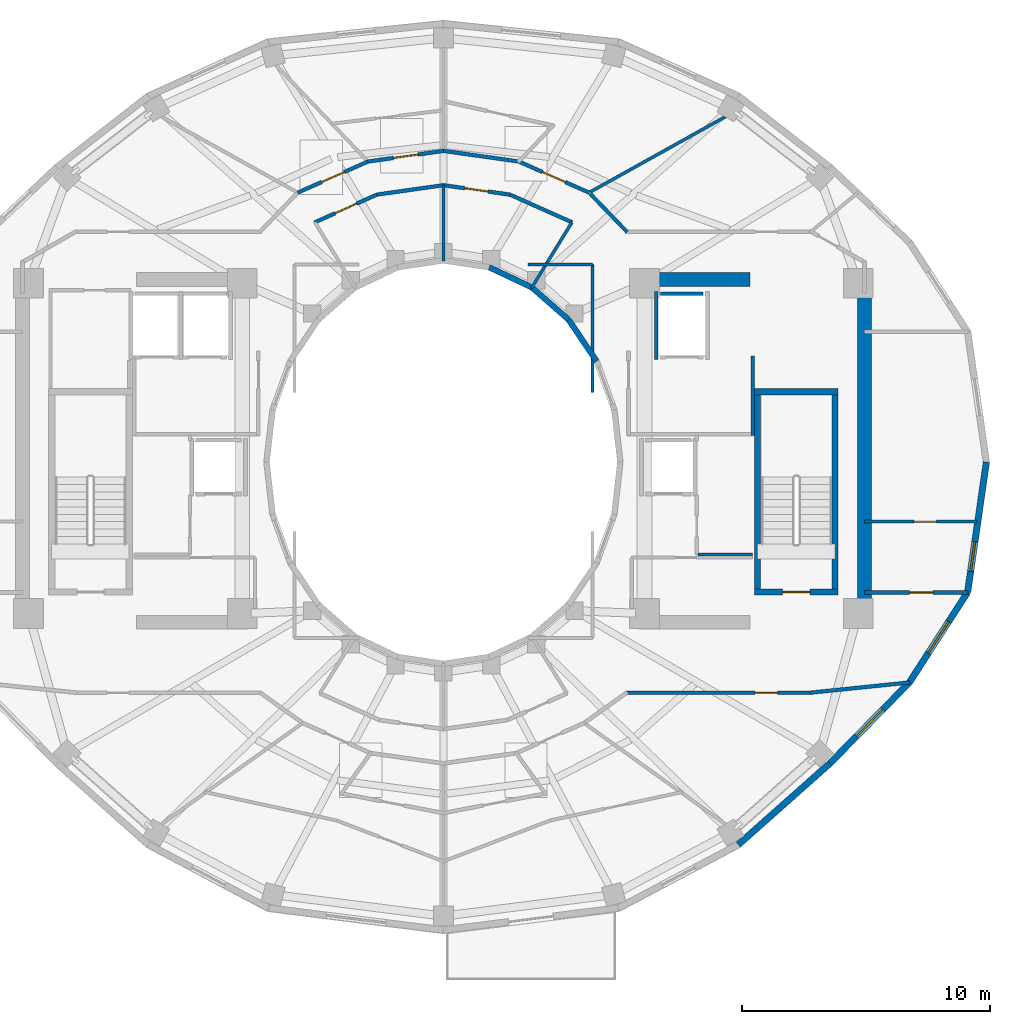
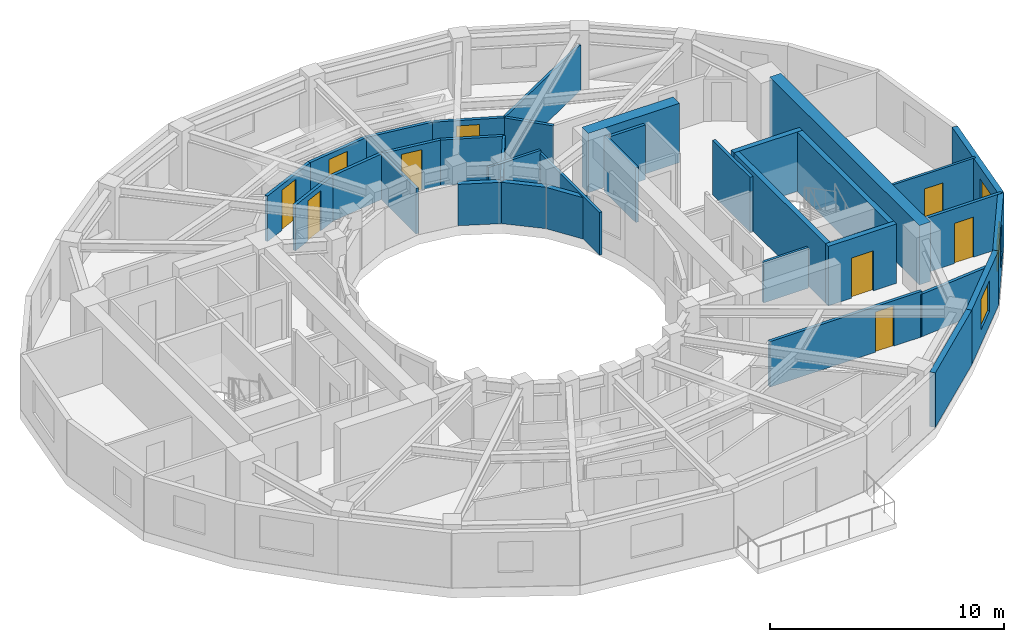
# One storey, part 6 of 9: 35 walls, 9 doors, 3 windows, 12 openings.
"""IFC4 building model written with IfcOpenShell, lengths in metres."""

from ifc_helpers import new_model, si_unit, direction, frame, frame_2d, origin, place, context, subcontext, project, spatial, rectangle, extrude, material, layer, layer_set, type_object, element, fill, save


model = new_model("IFC4")

# Units and contexts
model_context = context("Model", 3, precision=1e-05, world=origin(), true_north=direction((0.0, 1.0)))
body_context = subcontext(model_context, "Body", "Model", "MODEL_VIEW")
ifc_project = project(units=[si_unit("LENGTHUNIT", "METRE"), si_unit("AREAUNIT", "SQUARE_METRE"), si_unit("VOLUMEUNIT", "CUBIC_METRE"), si_unit("PLANEANGLEUNIT", "RADIAN"), si_unit("MASSUNIT", "GRAM", prefix="KILO")], contexts=[model_context])

# Site, building, storey
site_placement = place(None, origin())
site = spatial("IfcSite", under=ifc_project, at=site_placement, CompositionType="ELEMENT")
building_placement = place(site_placement, origin())
building = spatial("IfcBuilding", under=site, at=building_placement, Name="Solvane Sanctuary Tower", CompositionType="ELEMENT")
storey_placement = place(building_placement, frame((0.0, 0.0, 220.199951171875)))
storey = spatial("IfcBuildingStorey", under=building, at=storey_placement, Name="L67", CompositionType="ELEMENT", Elevation=220.199951171875)

# Walls
ifc_material_1 = material(Name="Concrete C50/60", Category="concrete")
ifc_layer_1 = layer(ifc_material_1, 0.550048828125, Name="Concrete C50/60")
ifc_layer_set_1 = layer_set([ifc_layer_1], Name="Concrete C50/60")
wall_type_1 = type_object("IfcWallType", Name="Wall W-CORE-550", PredefinedType="SHEAR", material=ifc_layer_set_1)
wall_1_placement = place(storey_placement, frame((48.949951171875, 17.050048828125, 0.0), z_axis=(0.0, 0.0, 1.0), x_axis=(0.0, 1.0, 0.0)))
element("IfcWall", 1, at=wall_1_placement, inside=storey, type_object=wall_type_1, Name="L67 Core Shear Wall EC-E", PredefinedType="SHEAR", context=body_context, shape_type="SweptSolid", body=[
    extrude(rectangle(XDim=12.800048828125, YDim=0.550048828125, at=frame_2d((6.39990234375, 0.0))), origin(), (0.0, 0.0, 1.0), 3.10009765625),
])
wall_2_placement = place(storey_placement, frame((39.85009765625, 30.35009765625, 0.0), z_axis=(0.0, 0.0, 1.0), x_axis=(1.0, 0.0, 0.0)))
element("IfcWall", 2, at=wall_2_placement, inside=storey, type_object=wall_type_1, Name="L67 Core Shear Wall EC-N", PredefinedType="SHEAR", context=body_context, shape_type="SweptSolid", body=[
    extrude(rectangle(XDim=4.5, YDim=0.550048828125, at=frame_2d((2.25, 0.0))), origin(), (0.0, 0.0, 1.0), 3.10009765625),
])
ifc_material_2 = material(Name="Acoustic Gypsum Partition Board")
ifc_layer_2 = layer(ifc_material_2, 0.14990234375, Name="Acoustic Gypsum Partition Board")
ifc_layer_set_2 = layer_set([ifc_layer_2], Name="Acoustic Gypsum Partition Board")
wall_type_2 = type_object("IfcWallType", Name="Wall W-CORR-150", PredefinedType="PARTITIONING", material=ifc_layer_set_2)
wall_3_placement = place(storey_placement, frame((44.449951171875, 24.080078125, 0.0), z_axis=(0.0, 0.0, 1.0), x_axis=(0.0, 1.0, 0.0)))
element("IfcWall", 3, at=wall_3_placement, inside=storey, type_object=wall_type_2, Name="L67 East Firefighting Lobby East Wall", PredefinedType="PARTITIONING", context=body_context, shape_type="SweptSolid", body=[
    extrude(rectangle(XDim=3.199951171875, YDim=0.14990234375, at=frame_2d((1.60009765625, 0.0))), origin(), (0.0, 0.0, 1.0), 2.85498046875),
])
wall_4_placement = place(storey_placement, frame((37.181396484375, 32.65234375, 0.0), z_axis=(0.0, 0.0, 1.0), x_axis=(-0.913120130558, 0.407690602257, 0.0)))
element("IfcWall", 4, at=wall_4_placement, inside=storey, type_object=wall_type_2, Name="L67 Light-Well Alcove Corridor Wall 1", PredefinedType="PARTITIONING", context=body_context, shape_type="SweptSolid", body=[
    extrude(rectangle(XDim=2.74267578125, YDim=0.14990234375, at=frame_2d((1.371337890625, 0.0))), origin(), (0.0, 0.0, 1.0), 2.3759765625),
])

# Wall, opening, door
wall_5_placement = place(storey_placement, frame((34.680419921875, 33.76953125, 0.0), z_axis=(0.0, 0.0, 1.0), x_axis=(-0.990132151456, 0.140136799779, 0.0)))
wall_5 = element("IfcWall", 5, at=wall_5_placement, inside=storey, type_object=wall_type_2, Name="L67 Light-Well Alcove Corridor Wall 1", PredefinedType="PARTITIONING", context=body_context, shape_type="SweptSolid", body=[
    extrude(rectangle(XDim=2.71435546875, YDim=0.14990234375, at=frame_2d((1.357177734375, 0.0))), origin(), (0.0, 0.0, 1.0), 2.3759765625),
])
opening_1_placement = place(wall_5_placement, frame((0.882080078125, 0.0, 0.0)))
opening_1 = element("IfcOpeningElement", 6, at=opening_1_placement, cuts=wall_5, Name="Opening D-L67-11", PredefinedType="OPENING", context=body_context, shape_type="SweptSolid", body=[
    extrude(rectangle(XDim=0.949951171875, YDim=2.10009765625, at=frame_2d((0.47509765625, 1.050048828125))), frame((0.0, 0.0849609375, 0.0), z_axis=(0.0, -1.0, 0.0), x_axis=(1.0, 0.0, 0.0)), (0.0, 0.0, 1.0), 0.169921875),
])
ifc_material_3 = material(Name="Engineered Tropical Hardwood", Category="wood")
door_type_1 = type_object("IfcDoorType", Name="Door D-ROOM-950", OperationType="NOTDEFINED", PredefinedType="DOOR", material=ifc_material_3)
door_1_placement = place(opening_1_placement, origin())
door_1 = element("IfcDoor", 7, at=door_1_placement, inside=storey, type_object=door_type_1, Name="L67 Light-Well Alcove Door 1", OperationType="SINGLE_SWING_RIGHT", OverallHeight=2.10009765625, OverallWidth=0.949951171875, PredefinedType="DOOR", context=body_context, shape_type="SweptSolid", body=[
    extrude(rectangle(XDim=0.949951171875, YDim=2.10009765625, at=frame_2d((0.47509765625, 1.050048828125))), frame((0.0, 0.02490234375, 0.0), z_axis=(0.0, -1.0, 0.0), x_axis=(1.0, 0.0, 0.0)), (0.0, 0.0, 1.0), 0.050048828125),
])
fill(opening_1, door_1)

# Wall
wall_6_placement = place(storey_placement, frame((32.007080078125, 34.14990234375, 0.0), z_axis=(0.0, 0.0, 1.0), x_axis=(-0.990132151456, -0.140136799779, 0.0)))
element("IfcWall", 8, at=wall_6_placement, inside=storey, type_object=wall_type_2, Name="L67 Light-Well Alcove Corridor Wall 2", PredefinedType="PARTITIONING", context=body_context, shape_type="SweptSolid", body=[
    extrude(rectangle(XDim=2.71435546875, YDim=0.14990234375, at=frame_2d((1.357177734375, 0.0))), origin(), (0.0, 0.0, 1.0), 2.3759765625),
])

# Wall, opening, door
wall_7_placement = place(storey_placement, frame((29.322998046875, 33.7705078125, 0.0), z_axis=(0.0, 0.0, 1.0), x_axis=(-0.913120130558, -0.407690602257, 0.0)))
wall_7 = element("IfcWall", 9, at=wall_7_placement, inside=storey, type_object=wall_type_2, Name="L67 Light-Well Alcove Corridor Wall 2", PredefinedType="PARTITIONING", context=body_context, shape_type="SweptSolid", body=[
    extrude(rectangle(XDim=2.74267578125, YDim=0.14990234375, at=frame_2d((1.371337890625, 0.0))), origin(), (0.0, 0.0, 1.0), 2.3759765625),
])
opening_2_placement = place(wall_7_placement, frame((0.896240234375, 0.0, 0.0)))
opening_2 = element("IfcOpeningElement", 10, at=opening_2_placement, cuts=wall_7, Name="Opening D-L67-12", PredefinedType="OPENING", context=body_context, shape_type="SweptSolid", body=[
    extrude(rectangle(XDim=0.949951171875, YDim=2.10009765625, at=frame_2d((0.47509765625, 1.050048828125))), frame((0.0, 0.0849609375, 0.0), z_axis=(0.0, -1.0, 0.0), x_axis=(1.0, 0.0, 0.0)), (0.0, 0.0, 1.0), 0.169921875),
])
door_2_placement = place(opening_2_placement, origin())
door_2 = element("IfcDoor", 11, at=door_2_placement, inside=storey, type_object=door_type_1, Name="L67 Light-Well Alcove Door 2", OperationType="SINGLE_SWING_LEFT", OverallHeight=2.10009765625, OverallWidth=0.949951171875, PredefinedType="DOOR", context=body_context, shape_type="SweptSolid", body=[
    extrude(rectangle(XDim=0.949951171875, YDim=2.10009765625, at=frame_2d((0.47509765625, 1.050048828125))), frame((0.0, 0.02490234375, 0.0), z_axis=(0.0, -1.0, 0.0), x_axis=(1.0, 0.0, 0.0)), (0.0, 0.0, 1.0), 0.050048828125),
])
fill(opening_2, door_2)

wall_8_placement = place(storey_placement, frame((48.949951171875, 17.754638671875, 0.0), z_axis=(0.0, 0.0, 1.0), x_axis=(1.0, 0.0, 0.0)))
wall_8 = element("IfcWall", 12, at=wall_8_placement, inside=storey, type_object=wall_type_2, Name="L67 East Shoulder South Wall", PredefinedType="PARTITIONING", context=body_context, shape_type="SweptSolid", body=[
    extrude(rectangle(XDim=4.174560546875, YDim=0.14990234375, at=frame_2d((2.08740234375, 0.0))), origin(), (0.0, 0.0, 1.0), 2.85498046875),
])
opening_3_placement = place(wall_8_placement, frame((1.817138671875, 0.0, 0.0)))
opening_3 = element("IfcOpeningElement", 13, at=opening_3_placement, cuts=wall_8, Name="Opening D-L67-15", PredefinedType="OPENING", context=body_context, shape_type="SweptSolid", body=[
    extrude(rectangle(XDim=0.949951171875, YDim=2.10009765625, at=frame_2d((0.47509765625, 1.050048828125))), frame((0.0, 0.0849609375, 0.0), z_axis=(0.0, -1.0, 0.0), x_axis=(1.0, 0.0, 0.0)), (0.0, 0.0, 1.0), 0.169921875),
])
door_3_placement = place(opening_3_placement, origin())
door_3 = element("IfcDoor", 14, at=door_3_placement, inside=storey, type_object=door_type_1, Name="L67 East Shoulder South Door", OperationType="SINGLE_SWING_RIGHT", OverallHeight=2.10009765625, OverallWidth=0.949951171875, PredefinedType="DOOR", context=body_context, shape_type="SweptSolid", body=[
    extrude(rectangle(XDim=0.949951171875, YDim=2.10009765625, at=frame_2d((0.47509765625, 1.050048828125))), frame((0.0, 0.02490234375, 0.0), z_axis=(0.0, -1.0, 0.0), x_axis=(1.0, 0.0, 0.0)), (0.0, 0.0, 1.0), 0.050048828125),
])
fill(opening_3, door_3)

# Wall
wall_9_placement = place(storey_placement, frame((37.9033203125, 33.811767578125, 0.0), z_axis=(0.0, 0.0, 1.0), x_axis=(0.694032962553, -0.719943224768, 0.0)))
element("IfcWall", 15, at=wall_9_placement, inside=storey, type_object=wall_type_2, Name="L67 NE Corner Throat Wall", PredefinedType="PARTITIONING", context=body_context, shape_type="SweptSolid", body=[
    extrude(rectangle(XDim=2.15771484375, YDim=0.14990234375, at=frame_2d((1.078857421875, 0.0))), origin(), (0.0, 0.0, 1.0), 2.3759765625),
])

# Wall, opening, door
wall_10_placement = place(storey_placement, frame((39.330078125, 13.719970703125, 0.0), z_axis=(0.0, 0.0, 1.0), x_axis=(1.0, 0.0, 0.0)))
wall_10 = element("IfcWall", 16, at=wall_10_placement, inside=storey, type_object=wall_type_2, Name="L67 SE Corner Corridor Wall", PredefinedType="PARTITIONING", context=body_context, shape_type="SweptSolid", body=[
    extrude(rectangle(XDim=7.52001953125, YDim=0.14990234375, at=frame_2d((3.760009765625, 0.0))), origin(), (0.0, 0.0, 1.0), 2.3759765625),
])
opening_4_placement = place(wall_10_placement, frame((5.219970703125, 0.0, 0.0)))
opening_4 = element("IfcOpeningElement", 17, at=opening_4_placement, cuts=wall_10, Name="Opening D-L67-23", PredefinedType="OPENING", context=body_context, shape_type="SweptSolid", body=[
    extrude(rectangle(XDim=0.89990234375, YDim=2.10009765625, at=frame_2d((0.449951171875, 1.050048828125))), frame((0.0, 0.0849609375, 0.0), z_axis=(0.0, -1.0, 0.0), x_axis=(1.0, 0.0, 0.0)), (0.0, 0.0, 1.0), 0.169921875),
])
door_type_2 = type_object("IfcDoorType", Name="Door D-WET-900", OperationType="NOTDEFINED", PredefinedType="DOOR", material=ifc_material_3)
door_4_placement = place(opening_4_placement, origin())
door_4 = element("IfcDoor", 18, at=door_4_placement, inside=storey, type_object=door_type_2, Name="L67 SE Corner Salon Door", OperationType="SINGLE_SWING_RIGHT", OverallHeight=2.10009765625, OverallWidth=0.89990234375, PredefinedType="DOOR", context=body_context, shape_type="SweptSolid", body=[
    extrude(rectangle(XDim=0.89990234375, YDim=2.10009765625, at=frame_2d((0.449951171875, 1.050048828125))), frame((0.0, 0.02490234375, 0.0), z_axis=(0.0, -1.0, 0.0), x_axis=(1.0, 0.0, 0.0)), (0.0, 0.0, 1.0), 0.050048828125),
])
fill(opening_4, door_4)

# Walls
wall_11_placement = place(storey_placement, frame((46.750244140625, 13.71484375, 0.0), z_axis=(0.0, 0.0, 1.0), x_axis=(0.994734711466, 0.102483431859, 0.0)))
element("IfcWall", 19, at=wall_11_placement, inside=storey, type_object=wall_type_2, Name="L67 SE Corner Wing Wall", PredefinedType="PARTITIONING", context=body_context, shape_type="SweptSolid", body=[
    extrude(rectangle(XDim=4.04736328125, YDim=0.14990234375, at=frame_2d((2.023681640625, 0.0))), origin(), (0.0, 0.0, 1.0), 2.219970703125),
])
wall_12_placement = place(storey_placement, frame((35.08544921875, 35.09619140625, 0.0), z_axis=(0.0, 0.0, 1.0), x_axis=(-0.990254086283, 0.139272555084, 0.0)))
element("IfcWall", 20, at=wall_12_placement, inside=storey, type_object=wall_type_2, Name="L67 En-suite Inner Wall N1", PredefinedType="PARTITIONING", context=body_context, shape_type="SweptSolid", body=[
    extrude(rectangle(XDim=3.165771484375, YDim=0.14990234375, at=frame_2d((1.5830078125, 0.0))), origin(), (0.0, 0.0, 1.0), 2.3759765625),
])

# Wall, opening, door
wall_13_placement = place(storey_placement, frame((37.8720703125, 33.846923828125, 0.0), z_axis=(0.0, 0.0, 1.0), x_axis=(-0.914490094652, 0.40460828808, 0.0)))
wall_13 = element("IfcWall", 21, at=wall_13_placement, inside=storey, type_object=wall_type_2, Name="L67 Unit Corridor Wall N1", PredefinedType="PARTITIONING", context=body_context, shape_type="SweptSolid", body=[
    extrude(rectangle(XDim=3.10986328125, YDim=0.14990234375, at=frame_2d((1.554931640625, 0.0))), origin(), (0.0, 0.0, 1.0), 2.3759765625),
])
opening_5_placement = place(wall_13_placement, frame((1.054931640625, 0.0, 0.0)))
opening_5 = element("IfcOpeningElement", 22, at=opening_5_placement, cuts=wall_13, Name="Opening D-L67-25", PredefinedType="OPENING", context=body_context, shape_type="SweptSolid", body=[
    extrude(rectangle(XDim=1.0, YDim=2.10009765625, at=frame_2d((0.5, 1.050048828125))), frame((0.0, 0.0849609375, 0.0), z_axis=(0.0, -1.0, 0.0), x_axis=(1.0, 0.0, 0.0)), (0.0, 0.0, 1.0), 0.169921875),
])
door_type_3 = type_object("IfcDoorType", Name="Door D-UNIT", OperationType="NOTDEFINED", PredefinedType="DOOR", material=ifc_material_3)
door_5_placement = place(opening_5_placement, origin())
door_5 = element("IfcDoor", 23, at=door_5_placement, inside=storey, type_object=door_type_3, Name="L67 Unit Entrance Door N1", OperationType="SINGLE_SWING_RIGHT", OverallHeight=2.10009765625, OverallWidth=1.0, PredefinedType="DOOR", context=body_context, shape_type="SweptSolid", body=[
    extrude(rectangle(XDim=1.0, YDim=2.10009765625, at=frame_2d((0.5, 1.050048828125))), frame((0.0, 0.02490234375, 0.0), z_axis=(0.0, -1.0, 0.0), x_axis=(1.0, 0.0, 0.0)), (0.0, 0.0, 1.0), 0.050048828125),
])
fill(opening_5, door_5)

wall_14_placement = place(storey_placement, frame((32.00830078125, 35.530029296875, 0.0), z_axis=(0.0, 0.0, 1.0), x_axis=(-0.990257602807, -0.139247549651, 0.0)))
wall_14 = element("IfcWall", 24, at=wall_14_placement, inside=storey, type_object=wall_type_2, Name="L67 Unit Corridor Wall N2", PredefinedType="PARTITIONING", context=body_context, shape_type="SweptSolid", body=[
    extrude(rectangle(XDim=3.082275390625, YDim=0.14990234375, at=frame_2d((1.541015625, 0.0))), origin(), (0.0, 0.0, 1.0), 2.3759765625),
])
opening_6_placement = place(wall_14_placement, frame((1.041015625, 0.0, 0.0)))
opening_6 = element("IfcOpeningElement", 25, at=opening_6_placement, cuts=wall_14, Name="Opening D-L67-27", PredefinedType="OPENING", context=body_context, shape_type="SweptSolid", body=[
    extrude(rectangle(XDim=1.0, YDim=2.10009765625, at=frame_2d((0.5, 1.050048828125))), frame((0.0, 0.0849609375, 0.0), z_axis=(0.0, -1.0, 0.0), x_axis=(1.0, 0.0, 0.0)), (0.0, 0.0, 1.0), 0.169921875),
])
door_6_placement = place(opening_6_placement, origin())
door_6 = element("IfcDoor", 26, at=door_6_placement, inside=storey, type_object=door_type_3, Name="L67 Unit Entrance Door N2", OperationType="SINGLE_SWING_RIGHT", OverallHeight=2.10009765625, OverallWidth=1.0, PredefinedType="DOOR", context=body_context, shape_type="SweptSolid", body=[
    extrude(rectangle(XDim=1.0, YDim=2.10009765625, at=frame_2d((0.5, 1.050048828125))), frame((0.0, 0.02490234375, 0.0), z_axis=(0.0, -1.0, 0.0), x_axis=(1.0, 0.0, 0.0)), (0.0, 0.0, 1.0), 0.050048828125),
])
fill(opening_6, door_6)

wall_15_placement = place(storey_placement, frame((28.971923828125, 35.105224609375, 0.0), z_axis=(0.0, 0.0, 1.0), x_axis=(-0.914490094652, -0.40460828808, 0.0)))
wall_15 = element("IfcWall", 27, at=wall_15_placement, inside=storey, type_object=wall_type_2, Name="L67 Unit Corridor Wall N3", PredefinedType="PARTITIONING", context=body_context, shape_type="SweptSolid", body=[
    extrude(rectangle(XDim=3.10986328125, YDim=0.14990234375, at=frame_2d((1.554931640625, 0.0))), origin(), (0.0, 0.0, 1.0), 2.3759765625),
])
opening_7_placement = place(wall_15_placement, frame((1.054931640625, 0.0, 0.0)))
opening_7 = element("IfcOpeningElement", 28, at=opening_7_placement, cuts=wall_15, Name="Opening D-L67-28", PredefinedType="OPENING", context=body_context, shape_type="SweptSolid", body=[
    extrude(rectangle(XDim=1.0, YDim=2.10009765625, at=frame_2d((0.5, 1.050048828125))), frame((0.0, 0.0849609375, 0.0), z_axis=(0.0, -1.0, 0.0), x_axis=(1.0, 0.0, 0.0)), (0.0, 0.0, 1.0), 0.169921875),
])
door_7_placement = place(opening_7_placement, origin())
door_7 = element("IfcDoor", 29, at=door_7_placement, inside=storey, type_object=door_type_3, Name="L67 Unit Entrance Door N3", OperationType="SINGLE_SWING_LEFT", OverallHeight=2.10009765625, OverallWidth=1.0, PredefinedType="DOOR", context=body_context, shape_type="SweptSolid", body=[
    extrude(rectangle(XDim=1.0, YDim=2.10009765625, at=frame_2d((0.5, 1.050048828125))), frame((0.0, 0.02490234375, 0.0), z_axis=(0.0, -1.0, 0.0), x_axis=(1.0, 0.0, 0.0)), (0.0, 0.0, 1.0), 0.050048828125),
])
fill(opening_7, door_7)

# Wall
ifc_material_4 = material(Name="Precast concrete C40/50", Category="concrete")
ifc_layer_3 = layer(ifc_material_4, 0.260009765625, Name="Precast concrete C40/50")
ifc_layer_set_3 = layer_set([ifc_layer_3], Name="Precast concrete C40/50")
wall_type_3 = type_object("IfcWallType", Name="Wall W-EXT-250", PredefinedType="STANDARD", material=ifc_layer_set_3)
wall_16_placement = place(storey_placement, frame((43.8701171875, 7.600830078125, 0.0), z_axis=(0.0, 0.0, 1.0), x_axis=(0.748165854006, 0.663511759428, 0.0)))
element("IfcWall", 30, at=wall_16_placement, inside=storey, type_object=wall_type_3, Name="L67 Ceramic-Printed Facade Wall 20", PredefinedType="STANDARD", context=body_context, shape_type="SweptSolid", body=[
    extrude(rectangle(XDim=4.9287109375, YDim=0.260009765625, at=frame_2d((2.46435546875, 0.0))), origin(), (0.0, 0.0, 1.0), 2.85009765625),
])

# Wall, opening, window
wall_17_placement = place(storey_placement, frame((47.5576171875, 10.87109375, 0.0), z_axis=(0.0, 0.0, 1.0), x_axis=(0.700642973333, 0.713512034881, 0.0)))
wall_17 = element("IfcWall", 31, at=wall_17_placement, inside=storey, type_object=wall_type_3, Name="L67 Ceramic-Printed Facade Wall 21", PredefinedType="STANDARD", context=body_context, shape_type="SweptSolid", body=[
    extrude(rectangle(XDim=4.572021484375, YDim=0.260009765625, at=frame_2d((2.2861328125, 0.0))), origin(), (0.0, 0.0, 1.0), 2.85009765625),
])
opening_8_placement = place(wall_17_placement, frame((1.535888671875, 0.0, 0.75)))
opening_8 = element("IfcOpeningElement", 32, at=opening_8_placement, cuts=wall_17, Name="Opening WN-OPER-1500", PredefinedType="OPENING", context=body_context, shape_type="SweptSolid", body=[
    extrude(rectangle(XDim=1.5, YDim=1.60009765625, at=frame_2d((0.75, 0.800048828125))), frame((0.0, 0.139892578125, 0.0), z_axis=(0.0, -1.0, 0.0), x_axis=(1.0, 0.0, 0.0)), (0.0, 0.0, 1.0), 0.280029296875),
])
ifc_material_5 = material(Name="Dark Ceramic-Fritted Low-E Glass", Category="glass")
window_type_1 = type_object("IfcWindowType", Name="Window WN-OPER-1500", PartitioningType="SINGLE_PANEL", PredefinedType="WINDOW", material=ifc_material_5)
window_1_placement = place(opening_8_placement, origin())
window_1 = element("IfcWindow", 33, at=window_1_placement, inside=storey, type_object=window_type_1, Name="L67 Operable Facade Window 21", OverallHeight=1.60009765625, OverallWidth=1.5, PartitioningType="SINGLE_PANEL", PredefinedType="WINDOW", context=body_context, shape_type="SweptSolid", body=[
    extrude(rectangle(XDim=1.5, YDim=1.60009765625, at=frame_2d((0.75, 0.800048828125))), frame((0.0, 0.030029296875, 0.0), z_axis=(0.0, -1.0, 0.0), x_axis=(1.0, 0.0, 0.0)), (0.0, 0.0, 1.0), 0.06005859375),
])
fill(opening_8, window_1)

wall_18_placement = place(storey_placement, frame((50.760986328125, 14.13330078125, 0.0), z_axis=(0.0, 0.0, 1.0), x_axis=(0.542641766008, 0.839964233634, 0.0)))
wall_18 = element("IfcWall", 34, at=wall_18_placement, inside=storey, type_object=wall_type_3, Name="L67 Ceramic-Printed Facade Wall 22", PredefinedType="STANDARD", context=body_context, shape_type="SweptSolid", body=[
    extrude(rectangle(XDim=4.319091796875, YDim=0.260009765625, at=frame_2d((2.15966796875, 0.0))), origin(), (0.0, 0.0, 1.0), 2.85009765625),
])
opening_9_placement = place(wall_18_placement, frame((1.40966796875, 0.0, 0.75)))
opening_9 = element("IfcOpeningElement", 35, at=opening_9_placement, cuts=wall_18, Name="Opening WN-OPER-1500", PredefinedType="OPENING", context=body_context, shape_type="SweptSolid", body=[
    extrude(rectangle(XDim=1.5, YDim=1.60009765625, at=frame_2d((0.75, 0.800048828125))), frame((0.0, 0.139892578125, 0.0), z_axis=(0.0, -1.0, 0.0), x_axis=(1.0, 0.0, 0.0)), (0.0, 0.0, 1.0), 0.280029296875),
])
window_2_placement = place(opening_9_placement, origin())
window_2 = element("IfcWindow", 36, at=window_2_placement, inside=storey, type_object=window_type_1, Name="L67 Operable Facade Window 22", OverallHeight=1.60009765625, OverallWidth=1.5, PartitioningType="SINGLE_PANEL", PredefinedType="WINDOW", context=body_context, shape_type="SweptSolid", body=[
    extrude(rectangle(XDim=1.5, YDim=1.60009765625, at=frame_2d((0.75, 0.800048828125))), frame((0.0, 0.030029296875, 0.0), z_axis=(0.0, -1.0, 0.0), x_axis=(1.0, 0.0, 0.0)), (0.0, 0.0, 1.0), 0.06005859375),
])
fill(opening_9, window_2)

wall_19_placement = place(storey_placement, frame((53.104736328125, 17.76123046875, 0.0), z_axis=(0.0, 0.0, 1.0), x_axis=(0.142712754019, 0.989764148593, 0.0)))
wall_19 = element("IfcWall", 37, at=wall_19_placement, inside=storey, type_object=wall_type_3, Name="L67 Ceramic-Printed Facade Wall 23", PredefinedType="STANDARD", context=body_context, shape_type="SweptSolid", body=[
    extrude(rectangle(XDim=5.29296875, YDim=0.260009765625, at=frame_2d((2.646484375, 0.0))), origin(), (0.0, 0.0, 1.0), 2.85009765625),
])
opening_10_placement = place(wall_19_placement, frame((0.859130859375, 0.0, 0.75)))
opening_10 = element("IfcOpeningElement", 38, at=opening_10_placement, cuts=wall_19, Name="Opening WN-OPER-1200", PredefinedType="OPENING", context=body_context, shape_type="SweptSolid", body=[
    extrude(rectangle(XDim=1.199951171875, YDim=1.5, at=frame_2d((0.60009765625, 0.75))), frame((0.0, 0.139892578125, 0.0), z_axis=(0.0, -1.0, 0.0), x_axis=(1.0, 0.0, 0.0)), (0.0, 0.0, 1.0), 0.280029296875),
])
window_type_2 = type_object("IfcWindowType", Name="Window WN-OPER-1200", PartitioningType="SINGLE_PANEL", PredefinedType="WINDOW", material=ifc_material_5)
window_3_placement = place(opening_10_placement, origin())
window_3 = element("IfcWindow", 39, at=window_3_placement, inside=storey, type_object=window_type_2, Name="L67 Operable Facade Window 23", OverallHeight=1.5, OverallWidth=1.199951171875, PartitioningType="SINGLE_PANEL", PredefinedType="WINDOW", context=body_context, shape_type="SweptSolid", body=[
    extrude(rectangle(XDim=1.199951171875, YDim=1.5, at=frame_2d((0.60009765625, 0.75))), frame((0.0, 0.030029296875, 0.0), z_axis=(0.0, -1.0, 0.0), x_axis=(1.0, 0.0, 0.0)), (0.0, 0.0, 1.0), 0.06005859375),
])
fill(opening_10, window_3)

# Walls
ifc_layer_4 = layer(ifc_material_4, 0.22998046875, Name="Precast concrete C40/50")
ifc_layer_set_4 = layer_set([ifc_layer_4], Name="Precast concrete C40/50")
wall_type_4 = type_object("IfcWallType", Name="Wall W-EXT-SP220", PredefinedType="STANDARD", material=ifc_layer_set_4)
wall_20_placement = place(storey_placement, frame((38.166015625, 27.06005859375, 0.0), z_axis=(0.0, 0.0, 1.0), x_axis=(-0.558197800898, 0.829707909492, 0.0)))
element("IfcWall", 40, at=wall_20_placement, inside=storey, type_object=wall_type_4, Name="L67 Central Light-Well Wall 02", PredefinedType="STANDARD", context=body_context, shape_type="SweptSolid", body=[
    extrude(rectangle(XDim=2.02685546875, YDim=0.22998046875, at=frame_2d((1.013427734375, 0.0))), origin(), (0.0, 0.0, 1.0), 2.16015625),
])
wall_21_placement = place(storey_placement, frame((37.03466796875, 28.74169921875, 0.0), z_axis=(0.0, 0.0, 1.0), x_axis=(-0.752576694707, 0.658504607869, 0.0)))
element("IfcWall", 41, at=wall_21_placement, inside=storey, type_object=wall_type_4, Name="L67 Central Light-Well Wall 03", PredefinedType="STANDARD", context=body_context, shape_type="SweptSolid", body=[
    extrude(rectangle(XDim=1.95947265625, YDim=0.22998046875, at=frame_2d((0.979736328125, 0.0))), origin(), (0.0, 0.0, 1.0), 2.16015625),
])
wall_22_placement = place(storey_placement, frame((35.56005859375, 30.031982421875, 0.0), z_axis=(0.0, 0.0, 1.0), x_axis=(-0.904179699603, 0.427152280606, 0.0)))
element("IfcWall", 42, at=wall_22_placement, inside=storey, type_object=wall_type_4, Name="L67 Central Light-Well Wall 04", PredefinedType="STANDARD", context=body_context, shape_type="SweptSolid", body=[
    extrude(rectangle(XDim=1.899169921875, YDim=0.22998046875, at=frame_2d((0.94970703125, 0.0))), origin(), (0.0, 0.0, 1.0), 2.16015625),
])

# Wall, opening, door
ifc_layer_5 = layer(ifc_material_2, 0.1201171875, Name="Acoustic Gypsum Partition Board")
ifc_layer_set_5 = layer_set([ifc_layer_5], Name="Acoustic Gypsum Partition Board")
wall_type_5 = type_object("IfcWallType", Name="Wall W-MOV-100", PredefinedType="MOVABLE", material=ifc_layer_set_5)
wall_23_placement = place(storey_placement, frame((48.949951171875, 20.60009765625, 0.0), z_axis=(0.0, 0.0, 1.0), x_axis=(1.0, 0.0, 0.0)))
wall_23 = element("IfcWall", 43, at=wall_23_placement, inside=storey, type_object=wall_type_5, Name="L67 East Suite Partition", PredefinedType="MOVABLE", context=body_context, shape_type="SweptSolid", body=[
    extrude(rectangle(XDim=4.5244140625, YDim=0.1201171875, at=frame_2d((2.26220703125, 0.0))), origin(), (0.0, 0.0, 1.0), 2.85498046875),
])
opening_11_placement = place(wall_23_placement, frame((2.0, 0.0, 0.0)))
opening_11 = element("IfcOpeningElement", 44, at=opening_11_placement, cuts=wall_23, Name="Opening D-L67-16", PredefinedType="OPENING", context=body_context, shape_type="SweptSolid", body=[
    extrude(rectangle(XDim=0.89990234375, YDim=2.10009765625, at=frame_2d((0.449951171875, 1.050048828125))), frame((0.0, 0.070068359375, 0.0), z_axis=(0.0, -1.0, 0.0), x_axis=(1.0, 0.0, 0.0)), (0.0, 0.0, 1.0), 0.14013671875),
])
door_8_placement = place(opening_11_placement, origin())
door_8 = element("IfcDoor", 45, at=door_8_placement, inside=storey, type_object=door_type_2, Name="L67 East Suite Internal Door", OperationType="SINGLE_SWING_LEFT", OverallHeight=2.10009765625, OverallWidth=0.89990234375, PredefinedType="DOOR", context=body_context, shape_type="SweptSolid", body=[
    extrude(rectangle(XDim=0.89990234375, YDim=2.10009765625, at=frame_2d((0.449951171875, 1.050048828125))), frame((0.0, 0.02490234375, 0.0), z_axis=(0.0, -1.0, 0.0), x_axis=(1.0, 0.0, 0.0)), (0.0, 0.0, 1.0), 0.050048828125),
])
fill(opening_11, door_8)

# Walls
ifc_layer_6 = layer(ifc_material_2, 0.125, Name="Acoustic Gypsum Partition Board")
ifc_layer_set_6 = layer_set([ifc_layer_6], Name="Acoustic Gypsum Partition Board")
wall_type_6 = type_object("IfcWallType", Name="Wall W-PART-125", PredefinedType="PARTITIONING", material=ifc_layer_set_6)
wall_24_placement = place(storey_placement, frame((42.239990234375, 19.280029296875, 0.0), z_axis=(0.0, 0.0, 1.0), x_axis=(1.0, 0.0, 0.0)))
element("IfcWall", 46, at=wall_24_placement, inside=storey, type_object=wall_type_6, Name="L67 Reclaimed Room Closer Wall PME-1", PredefinedType="PARTITIONING", context=body_context, shape_type="SweptSolid", body=[
    extrude(rectangle(XDim=2.2099609375, YDim=0.125, at=frame_2d((1.10498046875, 0.0))), origin(), (0.0, 0.0, 1.0), 2.1201171875),
])
wall_25_placement = place(storey_placement, frame((35.550048828125, 30.014892578125, 0.0), z_axis=(0.0, 0.0, 1.0), x_axis=(0.523992004803, 0.851723182086, 0.0)))
element("IfcWall", 47, at=wall_25_placement, inside=storey, type_object=wall_type_6, Name="L67 Light-Well Alcove Radial Wall 60", PredefinedType="PARTITIONING", context=body_context, shape_type="SweptSolid", body=[
    extrude(rectangle(XDim=3.10107421875, YDim=0.125, at=frame_2d((1.550537109375, 0.0))), origin(), (0.0, 0.0, 1.0), 2.3759765625),
])
wall_26_placement = place(storey_placement, frame((32.0, 31.10009765625, 0.0), z_axis=(0.0, 0.0, 1.0), x_axis=(0.0, 1.0, 0.0)))
element("IfcWall", 48, at=wall_26_placement, inside=storey, type_object=wall_type_6, Name="L67 Light-Well Alcove Radial Wall 90", PredefinedType="PARTITIONING", context=body_context, shape_type="SweptSolid", body=[
    extrude(rectangle(XDim=3.0498046875, YDim=0.125, at=frame_2d((1.52490234375, 0.0))), origin(), (0.0, 0.0, 1.0), 2.3759765625),
])
wall_27_placement = place(storey_placement, frame((38.0, 25.800048828125, 0.0), z_axis=(0.0, 0.0, 1.0), x_axis=(0.0, 1.0, 0.0)))
element("IfcWall", 49, at=wall_27_placement, inside=storey, type_object=wall_type_6, Name="L67 Bridge Alcove Wall 3", PredefinedType="PARTITIONING", context=body_context, shape_type="SweptSolid", body=[
    extrude(rectangle(XDim=5.159912109375, YDim=0.125, at=frame_2d((2.580078125, 0.0))), origin(), (0.0, 0.0, 1.0), 2.23193359375),
])
wall_28_placement = place(storey_placement, frame((35.39990234375, 30.9599609375, 0.0), z_axis=(0.0, 0.0, 1.0), x_axis=(1.0, 0.0, 0.0)))
element("IfcWall", 50, at=wall_28_placement, inside=storey, type_object=wall_type_6, Name="L67 Bridge Alcove Wall 4", PredefinedType="PARTITIONING", context=body_context, shape_type="SweptSolid", body=[
    extrude(rectangle(XDim=2.60009765625, YDim=0.125, at=frame_2d((1.300048828125, 0.0))), origin(), (0.0, 0.0, 1.0), 2.3759765625),
])
wall_29_placement = place(storey_placement, frame((37.9130859375, 33.8779296875, 0.0), z_axis=(0.0, 0.0, 1.0), x_axis=(0.87377679808, 0.486327160599, 0.0)))
element("IfcWall", 51, at=wall_29_placement, inside=storey, type_object=wall_type_6, Name="L67 Radial Compartment Wall 060", PredefinedType="PARTITIONING", context=body_context, shape_type="SweptSolid", body=[
    extrude(rectangle(XDim=6.239501953125, YDim=0.125, at=frame_2d((3.11962890625, 0.0))), origin(), (0.0, 0.0, 1.0), 2.3759765625),
])
ifc_layer_7 = layer(ifc_material_1, 0.14990234375, Name="Concrete C50/60")
ifc_layer_set_7 = layer_set([ifc_layer_7], Name="Concrete C50/60")
wall_type_7 = type_object("IfcWallType", Name="Wall W-SHAFT-150", PredefinedType="SOLIDWALL", material=ifc_layer_set_7)
wall_30_placement = place(storey_placement, frame((40.739990234375, 29.780029296875, 0.0), z_axis=(0.0, 0.0, 1.0), x_axis=(1.0, 0.0, 0.0)))
element("IfcWall", 52, at=wall_30_placement, inside=storey, type_object=wall_type_7, Name="L67 FFL-2 Lift Shaft Wall B", PredefinedType="SOLIDWALL", context=body_context, shape_type="SweptSolid", body=[
    extrude(rectangle(XDim=1.719970703125, YDim=0.14990234375, at=frame_2d((0.85986328125, 0.0))), origin(), (0.0, 0.0, 1.0), 2.85498046875),
])
wall_31_placement = place(storey_placement, frame((40.570068359375, 27.139892578125, 0.0), z_axis=(0.0, 0.0, 1.0), x_axis=(0.0, 1.0, 0.0)))
element("IfcWall", 53, at=wall_31_placement, inside=storey, type_object=wall_type_7, Name="L67 FFL-2 Lift Shaft Wall S1", PredefinedType="SOLIDWALL", context=body_context, shape_type="SweptSolid", body=[
    extrude(rectangle(XDim=2.72021484375, YDim=0.14990234375, at=frame_2d((1.360107421875, 0.0))), origin(), (0.0, 0.0, 1.0), 2.85498046875),
])

# Wall, opening, door
ifc_layer_8 = layer(ifc_material_1, 0.25, Name="Concrete C50/60")
ifc_layer_set_8 = layer_set([ifc_layer_8], Name="Concrete C50/60")
wall_type_8 = type_object("IfcWallType", Name="Wall W-SHAFT-250", PredefinedType="SOLIDWALL", material=ifc_layer_set_8)
wall_32_placement = place(storey_placement, frame((44.52490234375, 17.77001953125, 0.0), z_axis=(0.0, 0.0, 1.0), x_axis=(1.0, 0.0, 0.0)))
wall_32 = element("IfcWall", 54, at=wall_32_placement, inside=storey, type_object=wall_type_8, Name="L67 ST-2 Load-Bearing Shaft Wall S", PredefinedType="SOLIDWALL", context=body_context, shape_type="SweptSolid", body=[
    extrude(rectangle(XDim=3.3701171875, YDim=0.25, at=frame_2d((1.68505859375, 0.0))), origin(), (0.0, 0.0, 1.0), 3.10009765625),
])
opening_12_placement = place(wall_32_placement, frame((1.135009765625, 0.0, 0.0)))
opening_12 = element("IfcOpeningElement", 55, at=opening_12_placement, cuts=wall_32, Name="Opening D-L67-03", PredefinedType="OPENING", context=body_context, shape_type="SweptSolid", body=[
    extrude(rectangle(XDim=1.10009765625, YDim=2.10009765625, at=frame_2d((0.550048828125, 1.050048828125))), frame((0.0, 0.135009765625, 0.0), z_axis=(0.0, -1.0, 0.0), x_axis=(1.0, 0.0, 0.0)), (0.0, 0.0, 1.0), 0.27001953125),
])
ifc_material_6 = material(Name="Architectural Stainless Steel 316", Category="steel")
door_type_4 = type_object("IfcDoorType", Name="Door D-STAIR", OperationType="NOTDEFINED", PredefinedType="DOOR", material=ifc_material_6)
door_9_placement = place(opening_12_placement, origin())
door_9 = element("IfcDoor", 56, at=door_9_placement, inside=storey, type_object=door_type_4, Name="L67 ST-2 Exit Stair Fire Door", OperationType="SINGLE_SWING_RIGHT", OverallHeight=2.10009765625, OverallWidth=1.10009765625, PredefinedType="DOOR", context=body_context, shape_type="SweptSolid", body=[
    extrude(rectangle(XDim=1.10009765625, YDim=2.10009765625, at=frame_2d((0.550048828125, 1.050048828125))), frame((0.0, 0.02490234375, 0.0), z_axis=(0.0, -1.0, 0.0), x_axis=(1.0, 0.0, 0.0)), (0.0, 0.0, 1.0), 0.050048828125),
])
fill(opening_12, door_9)

# Walls
wall_33_placement = place(storey_placement, frame((44.52490234375, 25.830078125, 0.0), z_axis=(0.0, 0.0, 1.0), x_axis=(1.0, 0.0, 0.0)))
element("IfcWall", 57, at=wall_33_placement, inside=storey, type_object=wall_type_8, Name="L67 ST-2 Load-Bearing Shaft Wall N", PredefinedType="SOLIDWALL", context=body_context, shape_type="SweptSolid", body=[
    extrude(rectangle(XDim=3.3701171875, YDim=0.25, at=frame_2d((1.68505859375, 0.0))), origin(), (0.0, 0.0, 1.0), 3.10009765625),
])
for number, where, z_axis, x_axis, name in (
    (58, (44.64990234375, 17.89501953125, 0.0), (0.0, 0.0, 1.0), (0.0, 1.0, 0.0), "L67 ST-2 Load-Bearing Shaft Wall W"),
    (59, (47.77001953125, 17.89501953125, 0.0), (0.0, 0.0, 1.0), (0.0, 1.0, 0.0), "L67 ST-2 Load-Bearing Shaft Wall E"),
):
    element("IfcWall", number, at=place(storey_placement, frame(where, z_axis=z_axis, x_axis=x_axis)), inside=storey, type_object=wall_type_8, Name=name, PredefinedType="SOLIDWALL", context=body_context, shape_type="SweptSolid", body=[
        extrude(rectangle(XDim=7.81005859375, YDim=0.25, at=frame_2d((3.905029296875, 0.0))), origin(), (0.0, 0.0, 1.0), 3.10009765625),
    ])

save(model, "model.ifc")
